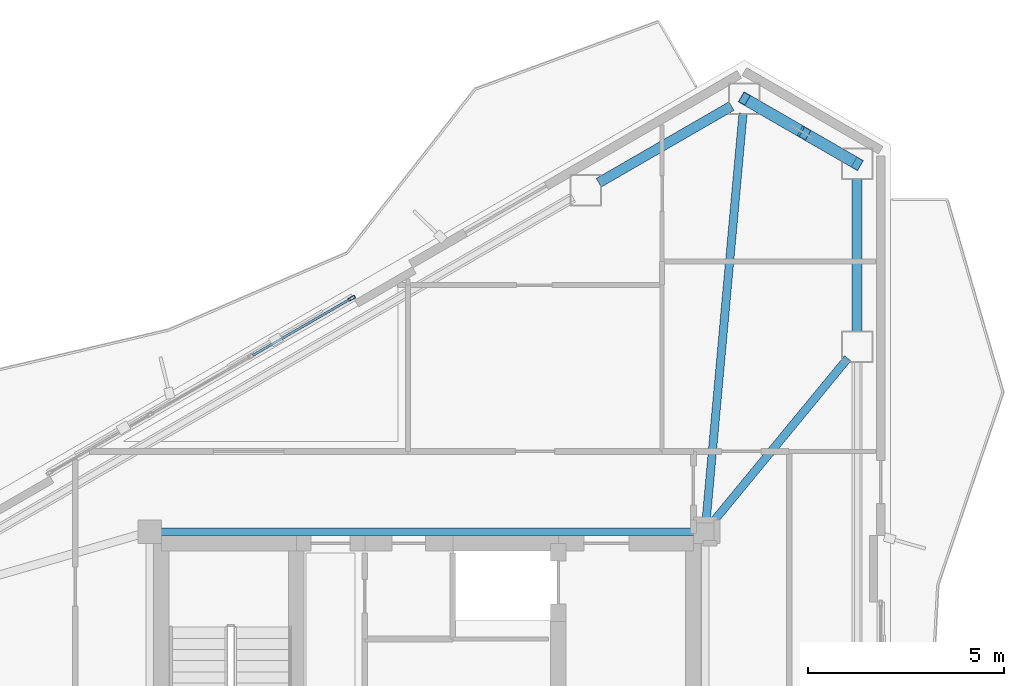
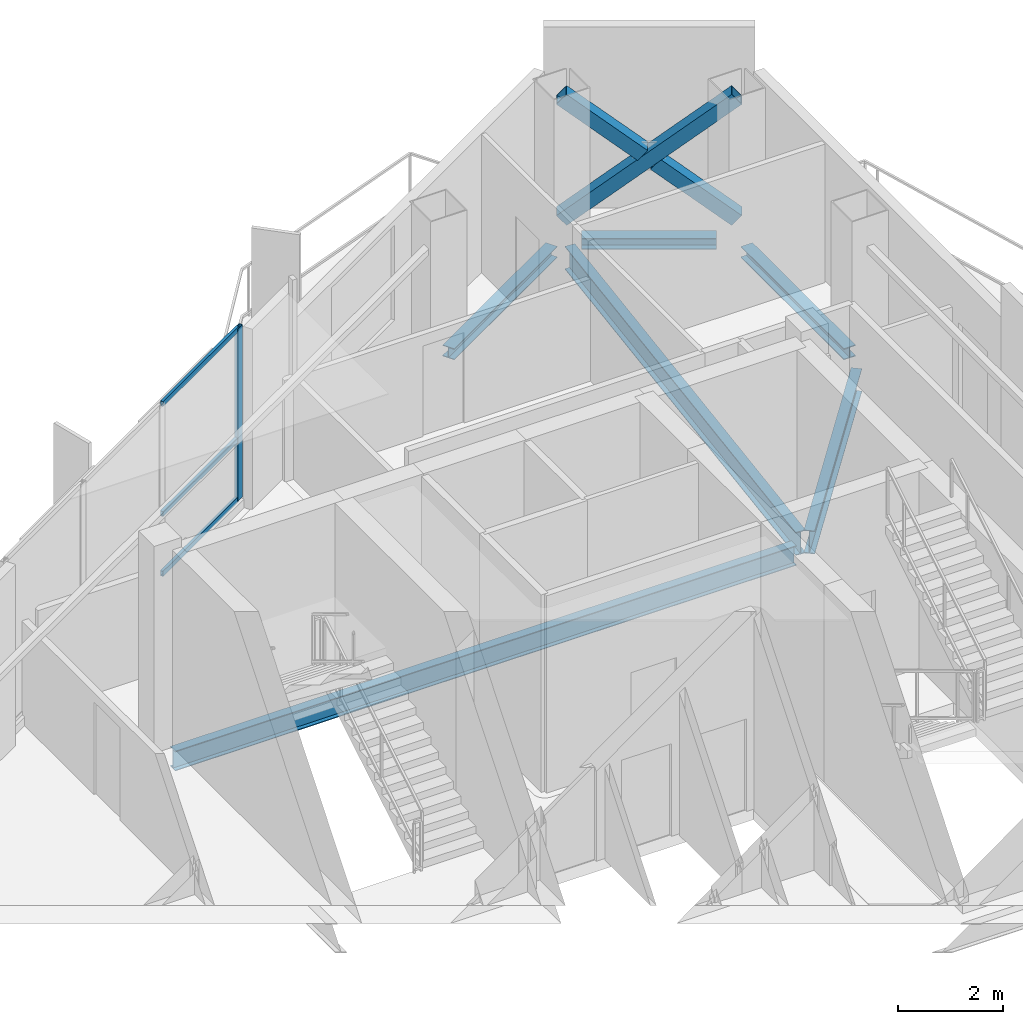
# One storey, part 9 of 15: 7 members, 6 beams, 1 element without a shape of its own.
"""IFC4 building model written with IfcOpenShell, lengths in metres."""

from ifc_helpers import new_model, si_unit, direction, frame, origin, origin_2d, place, context, subcontext, project, spatial, hollow_rectangle, i_section, extrude, material, layer, layer_set, material_profile, profile_set, type_object, element, aggregate, save


model = new_model("IFC4")

# Units and contexts
model_context = context("Model", 3, precision=1e-05, world=origin(), true_north=direction((0.0, 1.0)))
body_context = subcontext(model_context, "Body", "Model", "MODEL_VIEW")
ifc_project = project(units=[si_unit("LENGTHUNIT", "METRE"), si_unit("AREAUNIT", "SQUARE_METRE"), si_unit("VOLUMEUNIT", "CUBIC_METRE"), si_unit("PLANEANGLEUNIT", "RADIAN"), si_unit("MASSUNIT", "GRAM", prefix="KILO")], contexts=[model_context])

# Site, building, storey
site_placement = place(None, origin())
site = spatial("IfcSite", under=ifc_project, at=site_placement, CompositionType="ELEMENT")
building_placement = place(site_placement, origin())
building = spatial("IfcBuilding", under=site, at=building_placement, Name="Mersakhor Tower and Convention Hall", CompositionType="ELEMENT")
storey_placement = place(building_placement, frame((0.0, 0.0, 218.39990234375)))
storey = spatial("IfcBuildingStorey", under=building, at=storey_placement, Name="L61", CompositionType="ELEMENT", Elevation=218.39990234375)

# Beams
ifc_material_1 = material(Name="Steel S355", Category="steel")
ifc_material_profile_1 = material_profile(ifc_material_1, i_section(OverallWidth=0.19140625, OverallDepth=0.4599609375, WebThickness=0.010009765625, FlangeThickness=0.01611328125, at=origin_2d()), Name="UB 457x191x82")
ifc_profile_set_1 = profile_set([ifc_material_profile_1], Name="Steel S355")
beam_type_1 = type_object("IfcBeamType", Name="BM-FB-457", PredefinedType="BEAM", material=ifc_profile_set_1)
beam_1_placement = place(storey_placement, frame((22.179931640625, 33.050048828125, -0.510009765625), z_axis=(1.0, 0.0, 0.0), x_axis=(0.0, 1.0, 0.0)))
element("IfcBeam", 1, at=beam_1_placement, inside=storey, type_object=beam_type_1, Name="L61 Core Ring Tie Beam CRB-2", PredefinedType="BEAM", context=body_context, shape_type="SweptSolid", body=[
    extrude(i_section(OverallWidth=0.19140625, OverallDepth=0.4599609375, WebThickness=0.010009765625, FlangeThickness=0.01611328125, at=origin_2d()), origin(), (0.0, 0.0, 1.0), 13.64013671875),
])
ifc_material_2 = material(Name="Steel S355", Category="steel")
ifc_material_profile_2 = material_profile(ifc_material_2, i_section(OverallWidth=0.2099609375, OverallDepth=0.53662109375, WebThickness=0.0107421875, FlangeThickness=0.017333984375, at=origin_2d()), Name="UB 533x210x101")
ifc_profile_set_2 = profile_set([ifc_material_profile_2], Name="Steel S355")
beam_type_2 = type_object("IfcBeamType", Name="BM-FB-533", PredefinedType="BEAM", material=ifc_profile_set_2)
beam_2_placement = place(storey_placement, frame((36.125244140625, 33.328857421875, -0.548095703125), z_axis=(0.090367269821, 0.99590850812, 0.0), x_axis=(-0.99590850812, 0.090367269821, 0.0)))
element("IfcBeam", 2, at=beam_2_placement, inside=storey, type_object=beam_type_2, Name="L61 Primary Floor Girder FG-2", PredefinedType="BEAM", context=body_context, shape_type="SweptSolid", body=[
    extrude(i_section(OverallWidth=0.2099609375, OverallDepth=0.53662109375, WebThickness=0.0107421875, FlangeThickness=0.017333984375, at=origin_2d()), origin(), (0.0, 0.0, 1.0), 10.45263671875),
])
beam_3_placement = place(storey_placement, frame((36.278076171875, 33.26611328125, -0.548095703125), z_axis=(0.635588076211, 0.772028365657, 0.0), x_axis=(-0.772028365657, 0.635588076211, 0.0)))
element("IfcBeam", 3, at=beam_3_placement, inside=storey, type_object=beam_type_2, Name="L61 Primary Floor Girder FG-3", PredefinedType="BEAM", context=body_context, shape_type="SweptSolid", body=[
    extrude(i_section(OverallWidth=0.2099609375, OverallDepth=0.53662109375, WebThickness=0.0107421875, FlangeThickness=0.017333984375, at=origin_2d()), origin(), (0.0, 0.0, 1.0), 5.45751953125),
])
ifc_material_3 = material(Name="Steel S355", Category="steel")
ifc_material_profile_3 = material_profile(ifc_material_3, i_section(OverallWidth=0.25634765625, OverallDepth=0.26025390625, WebThickness=0.01025390625, FlangeThickness=0.017333984375, at=origin_2d()), Name="UC 254x254x89")
ifc_profile_set_3 = profile_set([ifc_material_profile_3], Name="Steel S355")
beam_type_3 = type_object("IfcBeamType", Name="BM-SPD-UC254", PredefinedType="SPANDREL", material=ifc_profile_set_3)
beam_4_placement = place(storey_placement, frame((33.380859375, 41.967529296875, -0.409912109375), z_axis=(0.866007153761, 0.500031608635, 0.0), x_axis=(-0.500031608635, 0.866007153761, 0.0)))
element("IfcBeam", 4, at=beam_4_placement, inside=storey, type_object=beam_type_3, Name="L61 Perimeter Spandrel Beam SPB-03", PredefinedType="SPANDREL", context=body_context, shape_type="SweptSolid", body=[
    extrude(i_section(OverallWidth=0.25634765625, OverallDepth=0.26025390625, WebThickness=0.01025390625, FlangeThickness=0.017333984375, at=origin_2d()), origin(), (0.0, 0.0, 1.0), 3.919189453125),
])
beam_5_placement = place(storey_placement, frame((37.43310546875, 43.92724609375, -0.409912109375), z_axis=(0.866036909293, -0.499980071345, 0.0), x_axis=(0.499980071345, 0.866036909293, 0.0)))
element("IfcBeam", 5, at=beam_5_placement, inside=storey, type_object=beam_type_3, Name="L61 Perimeter Spandrel Beam SPB-04", PredefinedType="SPANDREL", context=body_context, shape_type="SweptSolid", body=[
    extrude(i_section(OverallWidth=0.25634765625, OverallDepth=0.26025390625, WebThickness=0.01025390625, FlangeThickness=0.017333984375, at=origin_2d()), origin(), (0.0, 0.0, 1.0), 2.5703125),
])
beam_6_placement = place(storey_placement, frame((39.98828125, 42.072021484375, -0.409912109375), z_axis=(0.0, -1.0, 0.0), x_axis=(1.0, 0.0, 0.0)))
element("IfcBeam", 6, at=beam_6_placement, inside=storey, type_object=beam_type_3, Name="L61 Perimeter Spandrel Beam SPB-05", PredefinedType="SPANDREL", context=body_context, shape_type="SweptSolid", body=[
    extrude(i_section(OverallWidth=0.25634765625, OverallDepth=0.26025390625, WebThickness=0.01025390625, FlangeThickness=0.017333984375, at=origin_2d()), origin(), (0.0, 0.0, 1.0), 3.919189453125),
])

# Curtain wall, members
ifc_material_4 = material(Name="Dark solar low-E aluminium curtain wall", Category="aluminium")
ifc_layer = layer(ifc_material_4, 0.199951171875)
ifc_layer_set = layer_set([ifc_layer], Name="Dark solar low-E aluminium curtain wall")
curtain_wall_type = type_object("IfcCurtainWallType", Name="CW-SYS-05", PredefinedType="USERDEFINED", material=ifc_layer_set)
curtain_wall_placement = place(storey_placement, origin())
curtain_wall = element("IfcCurtainWall", 7, at=curtain_wall_placement, inside=storey, type_object=curtain_wall_type, Name="L61 Dark-Glass Curtain Wall F1-B2", ObjectType="CURTAIN WALL", PredefinedType="USERDEFINED")
ifc_material_5 = material(Name="Anodised aluminium EN AW-6063 T6", Category="aluminium")
ifc_material_profile_4 = material_profile(ifc_material_5, hollow_rectangle(XDim=0.080078125, YDim=0.179931640625, WallThickness=0.008056640625, at=origin_2d()), Name="RHS 180x80x8")
ifc_profile_set_4 = profile_set([ifc_material_profile_4], Name="Anodised aluminium EN AW-6063 T6")
member_type_1 = type_object("IfcMemberType", Name="CWM-180x80", PredefinedType="MULLION", material=ifc_profile_set_4)
member_1_placement = place(storey_placement, frame((27.06787109375, 39.015625, 0.2001953125), z_axis=(0.0, 0.0, 1.0), x_axis=(-0.500007824483, 0.86602088627, 0.0)))
member_1 = element("IfcMember", 8, at=member_1_placement, type_object=member_type_1, Name="CW-05 mullion 4", PredefinedType="MULLION", context=body_context, shape_type="SweptSolid", body=[
    extrude(hollow_rectangle(XDim=0.080078125, YDim=0.179931640625, WallThickness=0.008056640625, at=origin_2d()), origin(), (0.0, 0.0, 1.0), 4.0),
])
ifc_material_6 = material(Name="Anodised aluminium EN AW-6063 T6", Category="aluminium")
ifc_material_profile_5 = material_profile(ifc_material_6, hollow_rectangle(XDim=0.06005859375, YDim=0.1201171875, WallThickness=0.0048828125, at=origin_2d()), Name="RHS 120x60x5")
ifc_profile_set_5 = profile_set([ifc_material_profile_5], Name="Anodised aluminium EN AW-6063 T6")
member_type_2 = type_object("IfcMemberType", Name="CWT-120x60", PredefinedType="USERDEFINED", material=ifc_profile_set_5)
member_2_placement = place(storey_placement, frame((24.539306640625, 37.5556640625, 0.22998046875), z_axis=(0.866011930837, 0.500023335103, 0.0), x_axis=(-0.500023335103, 0.866011930837, 0.0)))
member_2 = element("IfcMember", 9, at=member_2_placement, type_object=member_type_2, Name="CW-05 transom 3.1", ObjectType="TRANSOM", PredefinedType="USERDEFINED", context=body_context, shape_type="SweptSolid", body=[
    extrude(hollow_rectangle(XDim=0.06005859375, YDim=0.1201171875, WallThickness=0.0048828125, at=origin_2d()), origin(), (0.0, 0.0, 1.0), 2.879638671875),
])
member_3_placement = place(storey_placement, frame((24.539306640625, 37.5556640625, 1.6201171875), z_axis=(0.866011930837, 0.500023335103, 0.0), x_axis=(-0.500023335103, 0.866011930837, 0.0)))
member_3 = element("IfcMember", 10, at=member_3_placement, type_object=member_type_2, Name="CW-05 transom 3.2", ObjectType="TRANSOM", PredefinedType="USERDEFINED", context=body_context, shape_type="SweptSolid", body=[
    extrude(hollow_rectangle(XDim=0.06005859375, YDim=0.1201171875, WallThickness=0.0048828125, at=origin_2d()), origin(), (0.0, 0.0, 1.0), 2.879638671875),
])
member_4_placement = place(storey_placement, frame((24.539306640625, 37.5556640625, 4.170166015625), z_axis=(0.866011930837, 0.500023335103, 0.0), x_axis=(-0.500023335103, 0.866011930837, 0.0)))
member_4 = element("IfcMember", 11, at=member_4_placement, type_object=member_type_2, Name="CW-05 transom 3.3", ObjectType="TRANSOM", PredefinedType="USERDEFINED", context=body_context, shape_type="SweptSolid", body=[
    extrude(hollow_rectangle(XDim=0.06005859375, YDim=0.1201171875, WallThickness=0.0048828125, at=origin_2d()), origin(), (0.0, 0.0, 1.0), 2.879638671875),
])
aggregate(curtain_wall, [member_1, member_2, member_3, member_4])

# Members
ifc_material_7 = material(Name="Steel S355", Category="steel")
ifc_material_profile_6 = material_profile(ifc_material_7, hollow_rectangle(XDim=0.300048828125, YDim=0.300048828125, WallThickness=0.01611328125, at=origin_2d()), Name="SHS 300x300x16")
ifc_profile_set_6 = profile_set([ifc_material_profile_6], Name="Steel S355")
member_type_3 = type_object("IfcMemberType", Name="MB-BRC-SHS300", PredefinedType="BRACE", material=ifc_profile_set_6)
member_5_placement = place(storey_placement, frame((37.10400390625, 44.1171875, 0.150146484375), z_axis=(0.661896274505, -0.382156296631, 0.644864239001), x_axis=(0.50001011158, 0.866019565782, 0.0)))
element("IfcMember", 12, at=member_5_placement, inside=storey, type_object=member_type_3, Name="L61 Chamfer Braced Frame Diagonal CB-1A", PredefinedType="BRACE", context=body_context, shape_type="SweptSolid", body=[
    extrude(hollow_rectangle(XDim=0.300048828125, YDim=0.300048828125, WallThickness=0.01611328125, at=origin_2d()), origin(), (0.0, 0.0, 1.0), 4.357666015625),
])
member_6_placement = place(storey_placement, frame((39.98828125, 42.451904296875, 0.150146484375), z_axis=(-0.661834623759, 0.382199819276, 0.644901720373), x_axis=(-0.50008774942, -0.865974735705, 0.0)))
element("IfcMember", 13, at=member_6_placement, inside=storey, type_object=member_type_3, Name="L61 Chamfer Braced Frame Diagonal CB-1B Lower Half", PredefinedType="BRACE", context=body_context, shape_type="SweptSolid", body=[
    extrude(hollow_rectangle(XDim=0.300048828125, YDim=0.300048828125, WallThickness=0.01611328125, at=origin_2d()), origin(), (0.0, 0.0, 1.0), 2.0185546875),
])
member_7_placement = place(storey_placement, frame((38.440185546875, 43.345703125, 1.658447265625), z_axis=(-0.661902586078, 0.382169225654, 0.644850098477), x_axis=(-0.500019222537, -0.866014305363, 0.0)))
element("IfcMember", 14, at=member_7_placement, inside=storey, type_object=member_type_3, Name="L61 Chamfer Braced Frame Diagonal CB-1B Upper Half", PredefinedType="BRACE", context=body_context, shape_type="SweptSolid", body=[
    extrude(hollow_rectangle(XDim=0.300048828125, YDim=0.300048828125, WallThickness=0.01611328125, at=origin_2d()), origin(), (0.0, 0.0, 1.0), 2.018798828125),
])

save(model, "model.ifc")
